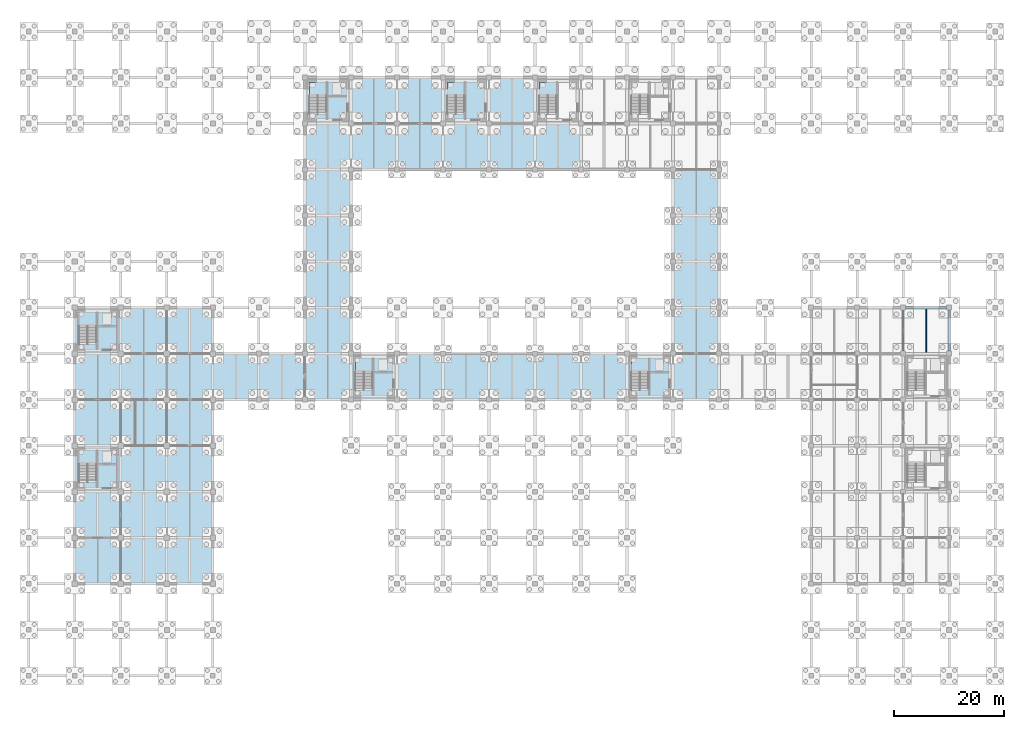
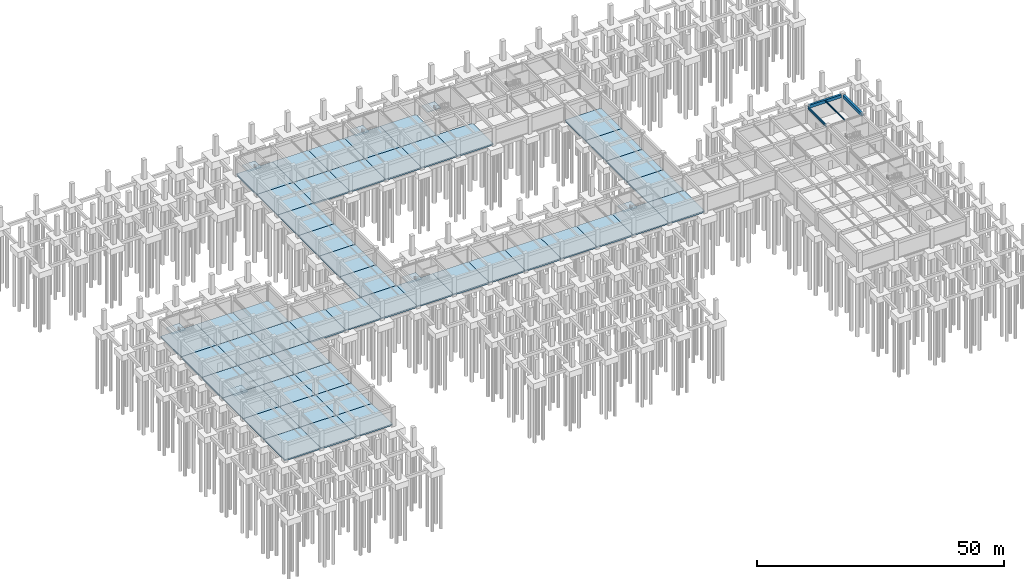
# One storey, part 16 of 29: 55 slabs, 4 beams, 7 elements without a shape of their own.
"""IFC4 building model written with IfcOpenShell, lengths in metres."""

from ifc_helpers import new_model, si_unit, direction, frame, origin, origin_2d, place, context, subcontext, project, spatial, polyline, rectangle, i_section, outline, extrude, material, layer, layer_set, material_profile, profile_set, type_object, element, aggregate, save


model = new_model("IFC4")

# Units and contexts
model_context = context("Model", 3, precision=1e-05, world=origin(), true_north=direction((0.0, 1.0)))
body_context = subcontext(model_context, "Body", "Model", "MODEL_VIEW")
ifc_project = project(units=[si_unit("LENGTHUNIT", "METRE"), si_unit("AREAUNIT", "SQUARE_METRE"), si_unit("VOLUMEUNIT", "CUBIC_METRE"), si_unit("PLANEANGLEUNIT", "RADIAN"), si_unit("MASSUNIT", "GRAM", prefix="KILO")], contexts=[model_context])

# Site, building, storey
site_placement = place(None, origin())
site = spatial("IfcSite", under=ifc_project, at=site_placement, CompositionType="ELEMENT")
building_placement = place(site_placement, origin())
building = spatial("IfcBuilding", under=site, at=building_placement, Name="Porcellanite Civic Hall", CompositionType="ELEMENT")
storey_placement = place(building_placement, frame((0.0, 0.0, -4.5)))
storey = spatial("IfcBuildingStorey", under=building, at=storey_placement, Name="B1", CompositionType="ELEMENT", Elevation=-4.5)

# Beams
ifc_material_1 = material(Name="Concrete N50 (50 MPa)", Category="concrete")
ifc_material_profile_1 = material_profile(ifc_material_1, rectangle(XDim=0.5, YDim=0.75, at=origin_2d()), Name="RC-500x750")
ifc_profile_set_1 = profile_set([ifc_material_profile_1], Name="Concrete N50 (50 MPa)")
beam_type_1 = type_object("IfcBeamType", Name="BM-RC750", PredefinedType="SPANDREL", material=ifc_profile_set_1)
for number, where, z_axis, x_axis, name in (
    (1, (160.049560546875, 67.199951171875, 3.77490234375), (1.0, 0.0, 0.0), (0.0, 1.0, 0.0), "Beam X B1 20-9"),
    (2, (168.0, 59.24951171875, 3.77490234375), (0.0, 1.0, 0.0), (-1.0, 0.0, 0.0), "Beam Y B1 21-8"),
):
    element("IfcBeam", number, at=place(storey_placement, frame(where, z_axis=z_axis, x_axis=x_axis)), inside=storey, type_object=beam_type_1, Name=name, PredefinedType="SPANDREL", context=body_context, shape_type="SweptSolid", body=[
        extrude(rectangle(XDim=0.5, YDim=0.75, at=origin_2d()), origin(), (0.0, 0.0, 1.0), 7.5009765625),
    ])
ifc_material_2 = material(Name="Steel Grade 350", Category="steel")
ifc_material_profile_2 = material_profile(ifc_material_2, i_section(OverallWidth=0.172119140625, OverallDepth=0.35888671875, WebThickness=0.008056640625, FlangeThickness=0.012939453125, FilletRadius=0.011474609375, at=origin_2d()), Name="360UB56.7")
ifc_profile_set_2 = profile_set([ifc_material_profile_2], Name="Steel Grade 350")
beam_type_2 = type_object("IfcBeamType", Name="JST-360UB57", PredefinedType="JOIST", material=ifc_profile_set_2)
beam_1_placement = place(storey_placement, frame((163.800048828125, 59.049560546875, 3.970458984375), z_axis=(0.0, 1.0, 0.0), x_axis=(-1.0, 0.0, 0.0)))
element("IfcBeam", 3, at=beam_1_placement, inside=storey, type_object=beam_type_2, Name="Secondary joist B1 20-8", PredefinedType="JOIST", context=body_context, shape_type="SweptSolid", body=[
    extrude(i_section(OverallWidth=0.172119140625, OverallDepth=0.35888671875, WebThickness=0.008056640625, FlangeThickness=0.012939453125, FilletRadius=0.011474609375, at=origin_2d()), origin(), (0.0, 0.0, 1.0), 7.90087890625),
])
ifc_material_3 = material(Name="Steel Grade 350", Category="steel")
ifc_material_profile_3 = material_profile(ifc_material_3, i_section(OverallWidth=0.208984375, OverallDepth=0.528076171875, WebThickness=0.009521484375, FlangeThickness=0.01318359375, FilletRadius=0.013916015625, at=origin_2d()), Name="530UB82.0")
ifc_profile_set_3 = profile_set([ifc_material_profile_3], Name="Steel Grade 350")
beam_type_3 = type_object("IfcBeamType", Name="RAF-530UB82", PredefinedType="BEAM", material=ifc_profile_set_3)
beam_2_placement = place(storey_placement, frame((159.60009765625, 59.24951171875, 3.885986328125), z_axis=(0.0, 1.0, 0.0), x_axis=(-1.0, 0.0, 0.0)))
element("IfcBeam", 4, at=beam_2_placement, inside=storey, type_object=beam_type_3, Name="Beam Y B1 20-8", PredefinedType="BEAM", context=body_context, shape_type="SweptSolid", body=[
    extrude(i_section(OverallWidth=0.208984375, OverallDepth=0.528076171875, WebThickness=0.009521484375, FlangeThickness=0.01318359375, FilletRadius=0.013916015625, at=origin_2d()), origin(), (0.0, 0.0, 1.0), 7.5009765625),
])

# Stair, slab
ifc_material_4 = material(Name="Concrete N40 (40 MPa)", Category="concrete")
stair_type = type_object("IfcStairType", Name="STR-HT25", PredefinedType="HALF_TURN_STAIR", material=ifc_material_4)
stair_1_placement = place(storey_placement, origin())
stair_1 = element("IfcStair", 5, at=stair_1_placement, inside=storey, type_object=stair_type, Name="Fire stair ST-01 B1", PredefinedType="HALF_TURN_STAIR")
ifc_material_5 = material(Name="Concrete N40 (40 MPa)", Category="concrete")
ifc_layer_1 = layer(ifc_material_5, 0.179931640625)
ifc_layer_set_1 = layer_set([ifc_layer_1], Name="Concrete N40 (40 MPa)")
slab_type_1 = type_object("IfcSlabType", Name="LND-18", PredefinedType="LANDING", material=ifc_layer_set_1)
slab_1_placement = place(storey_placement, frame((0.0, 0.0, 2.159912109375)))
slab_1 = element("IfcSlab", 6, at=slab_1_placement, type_object=slab_type_1, Name="ST-01 landing 1", PredefinedType="LANDING", context=body_context, shape_type="SweptSolid", body=[
    extrude(outline(polyline([(9.21044921875, 38.625), (12.319580078125, 38.625), (12.319580078125, 41.189453125), (9.21044921875, 41.189453125), (9.21044921875, 38.625)])), origin(), (0.0, 0.0, 1.0), 0.18017578125),
])
aggregate(stair_1, [slab_1])

stair_2_placement = place(storey_placement, origin())
stair_2 = element("IfcStair", 7, at=stair_2_placement, inside=storey, type_object=stair_type, Name="Fire stair ST-02 B1", PredefinedType="HALF_TURN_STAIR")
slab_2_placement = place(storey_placement, frame((0.0, 0.0, 2.159912109375)))
slab_2 = element("IfcSlab", 8, at=slab_2_placement, type_object=slab_type_1, Name="ST-02 landing 1", PredefinedType="LANDING", context=body_context, shape_type="SweptSolid", body=[
    extrude(outline(polyline([(9.21044921875, 63.824951171875), (12.319580078125, 63.824951171875), (12.319580078125, 66.389404296875), (9.21044921875, 66.389404296875), (9.21044921875, 63.824951171875)])), origin(), (0.0, 0.0, 1.0), 0.18017578125),
])
aggregate(stair_2, [slab_2])

stair_3_placement = place(storey_placement, origin())
stair_3 = element("IfcStair", 9, at=stair_3_placement, inside=storey, type_object=stair_type, Name="Fire stair ST-03 B1", PredefinedType="HALF_TURN_STAIR")
slab_3_placement = place(storey_placement, frame((0.0, 0.0, 2.159912109375)))
slab_3 = element("IfcSlab", 10, at=slab_3_placement, type_object=slab_type_1, Name="ST-03 landing 1", PredefinedType="LANDING", context=body_context, shape_type="SweptSolid", body=[
    extrude(outline(polyline([(51.21044921875, 105.824951171875), (54.319580078125, 105.824951171875), (54.319580078125, 108.389404296875), (51.21044921875, 108.389404296875), (51.21044921875, 105.824951171875)])), origin(), (0.0, 0.0, 1.0), 0.18017578125),
])
aggregate(stair_3, [slab_3])

stair_4_placement = place(storey_placement, origin())
stair_4 = element("IfcStair", 11, at=stair_4_placement, inside=storey, type_object=stair_type, Name="Fire stair ST-05 B1", PredefinedType="HALF_TURN_STAIR")
slab_4_placement = place(storey_placement, frame((0.0, 0.0, 2.159912109375)))
slab_4 = element("IfcSlab", 12, at=slab_4_placement, type_object=slab_type_1, Name="ST-05 landing 1", PredefinedType="LANDING", context=body_context, shape_type="SweptSolid", body=[
    extrude(outline(polyline([(59.610595703125, 55.425048828125), (62.719482421875, 55.425048828125), (62.719482421875, 57.989501953125), (59.610595703125, 57.989501953125), (59.610595703125, 55.425048828125)])), origin(), (0.0, 0.0, 1.0), 0.18017578125),
])
aggregate(stair_4, [slab_4])

stair_5_placement = place(storey_placement, origin())
stair_5 = element("IfcStair", 13, at=stair_5_placement, inside=storey, type_object=stair_type, Name="Fire stair ST-06 B1", PredefinedType="HALF_TURN_STAIR")
slab_5_placement = place(storey_placement, frame((0.0, 0.0, 2.159912109375)))
slab_5 = element("IfcSlab", 14, at=slab_5_placement, type_object=slab_type_1, Name="ST-06 landing 1", PredefinedType="LANDING", context=body_context, shape_type="SweptSolid", body=[
    extrude(outline(polyline([(110.010498046875, 55.425048828125), (113.119384765625, 55.425048828125), (113.119384765625, 57.989501953125), (110.010498046875, 57.989501953125), (110.010498046875, 55.425048828125)])), origin(), (0.0, 0.0, 1.0), 0.18017578125),
])
aggregate(stair_5, [slab_5])

stair_6_placement = place(storey_placement, origin())
stair_6 = element("IfcStair", 15, at=stair_6_placement, inside=storey, type_object=stair_type, Name="Fire stair ST-09 B1", PredefinedType="HALF_TURN_STAIR")
slab_6_placement = place(storey_placement, frame((0.0, 0.0, 2.159912109375)))
slab_6 = element("IfcSlab", 16, at=slab_6_placement, type_object=slab_type_1, Name="ST-09 landing 1", PredefinedType="LANDING", context=body_context, shape_type="SweptSolid", body=[
    extrude(outline(polyline([(76.410400390625, 105.824951171875), (79.51953125, 105.824951171875), (79.51953125, 108.389404296875), (76.410400390625, 108.389404296875), (76.410400390625, 105.824951171875)])), origin(), (0.0, 0.0, 1.0), 0.18017578125),
])
aggregate(stair_6, [slab_6])

stair_7_placement = place(storey_placement, origin())
stair_7 = element("IfcStair", 17, at=stair_7_placement, inside=storey, type_object=stair_type, Name="Fire stair ST-10 B1", PredefinedType="HALF_TURN_STAIR")
slab_7_placement = place(storey_placement, frame((0.0, 0.0, 2.159912109375)))
slab_7 = element("IfcSlab", 18, at=slab_7_placement, type_object=slab_type_1, Name="ST-10 landing 1", PredefinedType="LANDING", context=body_context, shape_type="SweptSolid", body=[
    extrude(outline(polyline([(93.21044921875, 105.824951171875), (96.319580078125, 105.824951171875), (96.319580078125, 108.389404296875), (93.21044921875, 108.389404296875), (93.21044921875, 105.824951171875)])), origin(), (0.0, 0.0, 1.0), 0.18017578125),
])
aggregate(stair_7, [slab_7])

# Slabs
ifc_material_6 = material(Name="Concrete N40 (40 MPa)", Category="concrete")
ifc_layer_2 = layer(ifc_material_6, 0.320068359375)
ifc_layer_set_2 = layer_set([ifc_layer_2], Name="Concrete N40 (40 MPa)")
slab_type_2 = type_object("IfcSlabType", Name="SL-BASE320", PredefinedType="BASESLAB", material=ifc_layer_set_2)
slab_8_placement = place(storey_placement, frame((0.0, 0.0, -0.320068359375)))
element("IfcSlab", 19, at=slab_8_placement, inside=storey, type_object=slab_type_2, Name="Slab B1 bay 2-3", PredefinedType="BASESLAB", context=body_context, shape_type="SweptSolid", body=[
    extrude(outline(polyline([(8.39990234375, 16.800048828125), (16.800048828125, 16.800048828125), (16.800048828125, 25.199951171875), (8.39990234375, 25.199951171875), (8.39990234375, 16.800048828125)])), origin(), (0.0, 0.0, 1.0), 0.320068359375),
])
slab_9_placement = place(storey_placement, frame((0.0, 0.0, -0.320068359375)))
element("IfcSlab", 20, at=slab_9_placement, inside=storey, type_object=slab_type_2, Name="Slab B1 bay 2-5", PredefinedType="BASESLAB", context=body_context, shape_type="SweptSolid", body=[
    extrude(outline(polyline([(8.39990234375, 33.60009765625), (16.800048828125, 33.60009765625), (16.800048828125, 42.0), (8.39990234375, 42.0), (8.39990234375, 33.60009765625)])), origin(), (0.0, 0.0, 1.0), 0.320068359375),
])
slab_10_placement = place(storey_placement, frame((0.0, 0.0, -0.320068359375)))
element("IfcSlab", 21, at=slab_10_placement, inside=storey, type_object=slab_type_2, Name="Slab B1 bay 2-7", PredefinedType="BASESLAB", context=body_context, shape_type="SweptSolid", body=[
    extrude(outline(polyline([(8.39990234375, 50.39990234375), (16.800048828125, 50.39990234375), (16.800048828125, 58.800048828125), (8.39990234375, 58.800048828125), (8.39990234375, 50.39990234375)])), origin(), (0.0, 0.0, 1.0), 0.320068359375),
])
slab_11_placement = place(storey_placement, frame((0.0, 0.0, -0.320068359375)))
element("IfcSlab", 22, at=slab_11_placement, inside=storey, type_object=slab_type_2, Name="Slab B1 bay 3-4", PredefinedType="BASESLAB", context=body_context, shape_type="SweptSolid", body=[
    extrude(outline(polyline([(16.800048828125, 25.199951171875), (25.199951171875, 25.199951171875), (25.199951171875, 33.60009765625), (16.800048828125, 33.60009765625), (16.800048828125, 25.199951171875)])), origin(), (0.0, 0.0, 1.0), 0.320068359375),
])
slab_12_placement = place(storey_placement, frame((0.0, 0.0, -0.320068359375)))
element("IfcSlab", 23, at=slab_12_placement, inside=storey, type_object=slab_type_2, Name="Slab B1 bay 3-6", PredefinedType="BASESLAB", context=body_context, shape_type="SweptSolid", body=[
    extrude(outline(polyline([(16.800048828125, 42.0), (25.199951171875, 42.0), (25.199951171875, 50.39990234375), (16.800048828125, 50.39990234375), (16.800048828125, 42.0)])), origin(), (0.0, 0.0, 1.0), 0.320068359375),
])
slab_13_placement = place(storey_placement, frame((0.0, 0.0, -0.320068359375)))
element("IfcSlab", 24, at=slab_13_placement, inside=storey, type_object=slab_type_2, Name="Slab B1 bay 3-8", PredefinedType="BASESLAB", context=body_context, shape_type="SweptSolid", body=[
    extrude(outline(polyline([(16.800048828125, 58.800048828125), (25.199951171875, 58.800048828125), (25.199951171875, 67.199951171875), (16.800048828125, 67.199951171875), (16.800048828125, 58.800048828125)])), origin(), (0.0, 0.0, 1.0), 0.320068359375),
])
slab_14_placement = place(storey_placement, frame((0.0, 0.0, -0.320068359375)))
element("IfcSlab", 25, at=slab_14_placement, inside=storey, type_object=slab_type_2, Name="Slab B1 bay 4-3", PredefinedType="BASESLAB", context=body_context, shape_type="SweptSolid", body=[
    extrude(outline(polyline([(25.199951171875, 16.800048828125), (33.60009765625, 16.800048828125), (33.60009765625, 25.199951171875), (25.199951171875, 25.199951171875), (25.199951171875, 16.800048828125)])), origin(), (0.0, 0.0, 1.0), 0.320068359375),
])
slab_15_placement = place(storey_placement, frame((0.0, 0.0, -0.320068359375)))
element("IfcSlab", 26, at=slab_15_placement, inside=storey, type_object=slab_type_2, Name="Slab B1 bay 4-5", PredefinedType="BASESLAB", context=body_context, shape_type="SweptSolid", body=[
    extrude(outline(polyline([(25.199951171875, 33.60009765625), (33.60009765625, 33.60009765625), (33.60009765625, 42.0), (25.199951171875, 42.0), (25.199951171875, 33.60009765625)])), origin(), (0.0, 0.0, 1.0), 0.320068359375),
])
slab_16_placement = place(storey_placement, frame((0.0, 0.0, -0.320068359375)))
element("IfcSlab", 27, at=slab_16_placement, inside=storey, type_object=slab_type_2, Name="Slab B1 bay 4-7", PredefinedType="BASESLAB", context=body_context, shape_type="SweptSolid", body=[
    extrude(outline(polyline([(25.199951171875, 50.39990234375), (33.60009765625, 50.39990234375), (33.60009765625, 58.800048828125), (25.199951171875, 58.800048828125), (25.199951171875, 50.39990234375)])), origin(), (0.0, 0.0, 1.0), 0.320068359375),
])
slab_17_placement = place(storey_placement, frame((0.0, 0.0, -0.320068359375)))
element("IfcSlab", 28, at=slab_17_placement, inside=storey, type_object=slab_type_2, Name="Slab B1 bay 6-7", PredefinedType="BASESLAB", context=body_context, shape_type="SweptSolid", body=[
    extrude(outline(polyline([(42.0, 50.39990234375), (50.39990234375, 50.39990234375), (50.39990234375, 58.800048828125), (42.0, 58.800048828125), (42.0, 50.39990234375)])), origin(), (0.0, 0.0, 1.0), 0.320068359375),
])
slab_18_placement = place(storey_placement, frame((0.0, 0.0, -0.320068359375)))
element("IfcSlab", 29, at=slab_18_placement, inside=storey, type_object=slab_type_2, Name="Slab B1 bay 7-8", PredefinedType="BASESLAB", context=body_context, shape_type="SweptSolid", body=[
    extrude(outline(polyline([(50.39990234375, 58.800048828125), (58.800048828125, 58.800048828125), (58.800048828125, 67.199951171875), (50.39990234375, 67.199951171875), (50.39990234375, 58.800048828125)])), origin(), (0.0, 0.0, 1.0), 0.320068359375),
])
slab_19_placement = place(storey_placement, frame((0.0, 0.0, -0.320068359375)))
element("IfcSlab", 30, at=slab_19_placement, inside=storey, type_object=slab_type_2, Name="Slab B1 bay 7-10", PredefinedType="BASESLAB", context=body_context, shape_type="SweptSolid", body=[
    extrude(outline(polyline([(50.39990234375, 75.60009765625), (58.800048828125, 75.60009765625), (58.800048828125, 84.0), (50.39990234375, 84.0), (50.39990234375, 75.60009765625)])), origin(), (0.0, 0.0, 1.0), 0.320068359375),
])
slab_20_placement = place(storey_placement, frame((0.0, 0.0, -0.320068359375)))
element("IfcSlab", 31, at=slab_20_placement, inside=storey, type_object=slab_type_2, Name="Slab B1 bay 7-12", PredefinedType="BASESLAB", context=body_context, shape_type="SweptSolid", body=[
    extrude(outline(polyline([(50.39990234375, 92.39990234375), (58.800048828125, 92.39990234375), (58.800048828125, 100.800048828125), (50.39990234375, 100.800048828125), (50.39990234375, 92.39990234375)])), origin(), (0.0, 0.0, 1.0), 0.320068359375),
])
slab_21_placement = place(storey_placement, frame((0.0, 0.0, -0.320068359375)))
element("IfcSlab", 32, at=slab_21_placement, inside=storey, type_object=slab_type_2, Name="Slab B1 bay 8-7", PredefinedType="BASESLAB", context=body_context, shape_type="SweptSolid", body=[
    extrude(outline(polyline([(58.800048828125, 50.39990234375), (67.199951171875, 50.39990234375), (67.199951171875, 58.800048828125), (58.800048828125, 58.800048828125), (58.800048828125, 50.39990234375)])), origin(), (0.0, 0.0, 1.0), 0.320068359375),
])
slab_22_placement = place(storey_placement, frame((0.0, 0.0, -0.320068359375)))
element("IfcSlab", 33, at=slab_22_placement, inside=storey, type_object=slab_type_2, Name="Slab B1 bay 8-13", PredefinedType="BASESLAB", context=body_context, shape_type="SweptSolid", body=[
    extrude(outline(polyline([(58.800048828125, 100.800048828125), (67.199951171875, 100.800048828125), (67.199951171875, 109.199951171875), (58.800048828125, 109.199951171875), (58.800048828125, 100.800048828125)])), origin(), (0.0, 0.0, 1.0), 0.320068359375),
])
slab_23_placement = place(storey_placement, frame((0.0, 0.0, -0.320068359375)))
element("IfcSlab", 34, at=slab_23_placement, inside=storey, type_object=slab_type_2, Name="Slab B1 bay 9-12", PredefinedType="BASESLAB", context=body_context, shape_type="SweptSolid", body=[
    extrude(outline(polyline([(67.199951171875, 92.39990234375), (75.60009765625, 92.39990234375), (75.60009765625, 100.800048828125), (67.199951171875, 100.800048828125), (67.199951171875, 92.39990234375)])), origin(), (0.0, 0.0, 1.0), 0.320068359375),
])
slab_24_placement = place(storey_placement, frame((0.0, 0.0, -0.320068359375)))
element("IfcSlab", 35, at=slab_24_placement, inside=storey, type_object=slab_type_2, Name="Slab B1 bay 10-7", PredefinedType="BASESLAB", context=body_context, shape_type="SweptSolid", body=[
    extrude(outline(polyline([(75.60009765625, 50.39990234375), (84.0, 50.39990234375), (84.0, 58.800048828125), (75.60009765625, 58.800048828125), (75.60009765625, 50.39990234375)])), origin(), (0.0, 0.0, 1.0), 0.320068359375),
])
slab_25_placement = place(storey_placement, frame((0.0, 0.0, -0.320068359375)))
element("IfcSlab", 36, at=slab_25_placement, inside=storey, type_object=slab_type_2, Name="Slab B1 bay 10-13", PredefinedType="BASESLAB", context=body_context, shape_type="SweptSolid", body=[
    extrude(outline(polyline([(75.60009765625, 100.800048828125), (84.0, 100.800048828125), (84.0, 109.199951171875), (75.60009765625, 109.199951171875), (75.60009765625, 100.800048828125)])), origin(), (0.0, 0.0, 1.0), 0.320068359375),
])
slab_26_placement = place(storey_placement, frame((0.0, 0.0, -0.320068359375)))
element("IfcSlab", 37, at=slab_26_placement, inside=storey, type_object=slab_type_2, Name="Slab B1 bay 11-12", PredefinedType="BASESLAB", context=body_context, shape_type="SweptSolid", body=[
    extrude(outline(polyline([(84.0, 92.39990234375), (92.39990234375, 92.39990234375), (92.39990234375, 100.800048828125), (84.0, 100.800048828125), (84.0, 92.39990234375)])), origin(), (0.0, 0.0, 1.0), 0.320068359375),
])
slab_27_placement = place(storey_placement, frame((0.0, 0.0, -0.320068359375)))
element("IfcSlab", 38, at=slab_27_placement, inside=storey, type_object=slab_type_2, Name="Slab B1 bay 12-7", PredefinedType="BASESLAB", context=body_context, shape_type="SweptSolid", body=[
    extrude(outline(polyline([(92.39990234375, 50.39990234375), (100.800048828125, 50.39990234375), (100.800048828125, 58.800048828125), (92.39990234375, 58.800048828125), (92.39990234375, 50.39990234375)])), origin(), (0.0, 0.0, 1.0), 0.320068359375),
])
slab_28_placement = place(storey_placement, frame((0.0, 0.0, -0.320068359375)))
element("IfcSlab", 39, at=slab_28_placement, inside=storey, type_object=slab_type_2, Name="Slab B1 bay 14-7", PredefinedType="BASESLAB", context=body_context, shape_type="SweptSolid", body=[
    extrude(outline(polyline([(109.199951171875, 50.39990234375), (117.60009765625, 50.39990234375), (117.60009765625, 58.800048828125), (109.199951171875, 58.800048828125), (109.199951171875, 50.39990234375)])), origin(), (0.0, 0.0, 1.0), 0.320068359375),
])
slab_29_placement = place(storey_placement, frame((0.0, 0.0, -0.320068359375)))
element("IfcSlab", 40, at=slab_29_placement, inside=storey, type_object=slab_type_2, Name="Slab B1 bay 15-8", PredefinedType="BASESLAB", context=body_context, shape_type="SweptSolid", body=[
    extrude(outline(polyline([(117.60009765625, 58.800048828125), (126.0, 58.800048828125), (126.0, 67.199951171875), (117.60009765625, 67.199951171875), (117.60009765625, 58.800048828125)])), origin(), (0.0, 0.0, 1.0), 0.320068359375),
])
slab_30_placement = place(storey_placement, frame((0.0, 0.0, -0.320068359375)))
element("IfcSlab", 41, at=slab_30_placement, inside=storey, type_object=slab_type_2, Name="Slab B1 bay 15-10", PredefinedType="BASESLAB", context=body_context, shape_type="SweptSolid", body=[
    extrude(outline(polyline([(117.60009765625, 75.60009765625), (126.0, 75.60009765625), (126.0, 84.0), (117.60009765625, 84.0), (117.60009765625, 75.60009765625)])), origin(), (0.0, 0.0, 1.0), 0.320068359375),
])
ifc_material_7 = material(Name="Concrete N40 (40 MPa)", Category="concrete")
ifc_layer_3 = layer(ifc_material_7, 0.35009765625)
ifc_layer_set_3 = layer_set([ifc_layer_3], Name="Concrete N40 (40 MPa)")
slab_type_3 = type_object("IfcSlabType", Name="SL-BASE350", PredefinedType="BASESLAB", material=ifc_layer_set_3)
slab_31_placement = place(storey_placement, frame((0.0, 0.0, -0.35009765625)))
element("IfcSlab", 42, at=slab_31_placement, inside=storey, type_object=slab_type_3, Name="Slab B1 bay 2-4", PredefinedType="BASESLAB", context=body_context, shape_type="SweptSolid", body=[
    extrude(outline(polyline([(8.39990234375, 25.199951171875), (16.800048828125, 25.199951171875), (16.800048828125, 33.60009765625), (8.39990234375, 33.60009765625), (8.39990234375, 25.199951171875)])), origin(), (0.0, 0.0, 1.0), 0.35009765625),
])
slab_32_placement = place(storey_placement, frame((0.0, 0.0, -0.35009765625)))
element("IfcSlab", 43, at=slab_32_placement, inside=storey, type_object=slab_type_3, Name="Slab B1 bay 2-6", PredefinedType="BASESLAB", context=body_context, shape_type="SweptSolid", body=[
    extrude(outline(polyline([(8.39990234375, 42.0), (16.800048828125, 42.0), (16.800048828125, 50.39990234375), (8.39990234375, 50.39990234375), (8.39990234375, 42.0)])), origin(), (0.0, 0.0, 1.0), 0.35009765625),
])
slab_33_placement = place(storey_placement, frame((0.0, 0.0, -0.35009765625)))
element("IfcSlab", 44, at=slab_33_placement, inside=storey, type_object=slab_type_3, Name="Slab B1 bay 2-8", PredefinedType="BASESLAB", context=body_context, shape_type="SweptSolid", body=[
    extrude(outline(polyline([(8.39990234375, 58.800048828125), (16.800048828125, 58.800048828125), (16.800048828125, 67.199951171875), (8.39990234375, 67.199951171875), (8.39990234375, 58.800048828125)])), origin(), (0.0, 0.0, 1.0), 0.35009765625),
])
slab_34_placement = place(storey_placement, frame((0.0, 0.0, -0.35009765625)))
element("IfcSlab", 45, at=slab_34_placement, inside=storey, type_object=slab_type_3, Name="Slab B1 bay 3-3", PredefinedType="BASESLAB", context=body_context, shape_type="SweptSolid", body=[
    extrude(outline(polyline([(16.800048828125, 16.800048828125), (25.199951171875, 16.800048828125), (25.199951171875, 25.199951171875), (16.800048828125, 25.199951171875), (16.800048828125, 16.800048828125)])), origin(), (0.0, 0.0, 1.0), 0.35009765625),
])
slab_35_placement = place(storey_placement, frame((0.0, 0.0, -0.35009765625)))
element("IfcSlab", 46, at=slab_35_placement, inside=storey, type_object=slab_type_3, Name="Slab B1 bay 3-5", PredefinedType="BASESLAB", context=body_context, shape_type="SweptSolid", body=[
    extrude(outline(polyline([(16.800048828125, 33.60009765625), (25.199951171875, 33.60009765625), (25.199951171875, 42.0), (16.800048828125, 42.0), (16.800048828125, 33.60009765625)])), origin(), (0.0, 0.0, 1.0), 0.35009765625),
])
slab_36_placement = place(storey_placement, frame((0.0, 0.0, -0.35009765625)))
element("IfcSlab", 47, at=slab_36_placement, inside=storey, type_object=slab_type_3, Name="Slab B1 bay 3-7", PredefinedType="BASESLAB", context=body_context, shape_type="SweptSolid", body=[
    extrude(outline(polyline([(16.800048828125, 50.39990234375), (25.199951171875, 50.39990234375), (25.199951171875, 58.800048828125), (16.800048828125, 58.800048828125), (16.800048828125, 50.39990234375)])), origin(), (0.0, 0.0, 1.0), 0.35009765625),
])
slab_37_placement = place(storey_placement, frame((0.0, 0.0, -0.35009765625)))
element("IfcSlab", 48, at=slab_37_placement, inside=storey, type_object=slab_type_3, Name="Slab B1 bay 4-4", PredefinedType="BASESLAB", context=body_context, shape_type="SweptSolid", body=[
    extrude(outline(polyline([(25.199951171875, 25.199951171875), (33.60009765625, 25.199951171875), (33.60009765625, 33.60009765625), (25.199951171875, 33.60009765625), (25.199951171875, 25.199951171875)])), origin(), (0.0, 0.0, 1.0), 0.35009765625),
])
slab_38_placement = place(storey_placement, frame((0.0, 0.0, -0.35009765625)))
element("IfcSlab", 49, at=slab_38_placement, inside=storey, type_object=slab_type_3, Name="Slab B1 bay 4-6", PredefinedType="BASESLAB", context=body_context, shape_type="SweptSolid", body=[
    extrude(outline(polyline([(25.199951171875, 42.0), (33.60009765625, 42.0), (33.60009765625, 50.39990234375), (25.199951171875, 50.39990234375), (25.199951171875, 42.0)])), origin(), (0.0, 0.0, 1.0), 0.35009765625),
])
slab_39_placement = place(storey_placement, frame((0.0, 0.0, -0.35009765625)))
element("IfcSlab", 50, at=slab_39_placement, inside=storey, type_object=slab_type_3, Name="Slab B1 bay 4-8", PredefinedType="BASESLAB", context=body_context, shape_type="SweptSolid", body=[
    extrude(outline(polyline([(25.199951171875, 58.800048828125), (33.60009765625, 58.800048828125), (33.60009765625, 67.199951171875), (25.199951171875, 67.199951171875), (25.199951171875, 58.800048828125)])), origin(), (0.0, 0.0, 1.0), 0.35009765625),
])
slab_40_placement = place(storey_placement, frame((0.0, 0.0, -0.35009765625)))
element("IfcSlab", 51, at=slab_40_placement, inside=storey, type_object=slab_type_3, Name="Slab B1 bay 5-7", PredefinedType="BASESLAB", context=body_context, shape_type="SweptSolid", body=[
    extrude(outline(polyline([(33.60009765625, 50.39990234375), (42.0, 50.39990234375), (42.0, 58.800048828125), (33.60009765625, 58.800048828125), (33.60009765625, 50.39990234375)])), origin(), (0.0, 0.0, 1.0), 0.35009765625),
])
slab_41_placement = place(storey_placement, frame((0.0, 0.0, -0.35009765625)))
element("IfcSlab", 52, at=slab_41_placement, inside=storey, type_object=slab_type_3, Name="Slab B1 bay 7-7", PredefinedType="BASESLAB", context=body_context, shape_type="SweptSolid", body=[
    extrude(outline(polyline([(50.39990234375, 50.39990234375), (58.800048828125, 50.39990234375), (58.800048828125, 58.800048828125), (50.39990234375, 58.800048828125), (50.39990234375, 50.39990234375)])), origin(), (0.0, 0.0, 1.0), 0.35009765625),
])
slab_42_placement = place(storey_placement, frame((0.0, 0.0, -0.35009765625)))
element("IfcSlab", 53, at=slab_42_placement, inside=storey, type_object=slab_type_3, Name="Slab B1 bay 7-9", PredefinedType="BASESLAB", context=body_context, shape_type="SweptSolid", body=[
    extrude(outline(polyline([(50.39990234375, 67.199951171875), (58.800048828125, 67.199951171875), (58.800048828125, 75.60009765625), (50.39990234375, 75.60009765625), (50.39990234375, 67.199951171875)])), origin(), (0.0, 0.0, 1.0), 0.35009765625),
])
slab_43_placement = place(storey_placement, frame((0.0, 0.0, -0.35009765625)))
element("IfcSlab", 54, at=slab_43_placement, inside=storey, type_object=slab_type_3, Name="Slab B1 bay 7-11", PredefinedType="BASESLAB", context=body_context, shape_type="SweptSolid", body=[
    extrude(outline(polyline([(50.39990234375, 84.0), (58.800048828125, 84.0), (58.800048828125, 92.39990234375), (50.39990234375, 92.39990234375), (50.39990234375, 84.0)])), origin(), (0.0, 0.0, 1.0), 0.35009765625),
])
slab_44_placement = place(storey_placement, frame((0.0, 0.0, -0.35009765625)))
element("IfcSlab", 55, at=slab_44_placement, inside=storey, type_object=slab_type_3, Name="Slab B1 bay 7-13", PredefinedType="BASESLAB", context=body_context, shape_type="SweptSolid", body=[
    extrude(outline(polyline([(50.39990234375, 100.800048828125), (58.800048828125, 100.800048828125), (58.800048828125, 109.199951171875), (50.39990234375, 109.199951171875), (50.39990234375, 100.800048828125)])), origin(), (0.0, 0.0, 1.0), 0.35009765625),
])
slab_45_placement = place(storey_placement, frame((0.0, 0.0, -0.35009765625)))
element("IfcSlab", 56, at=slab_45_placement, inside=storey, type_object=slab_type_3, Name="Slab B1 bay 8-12", PredefinedType="BASESLAB", context=body_context, shape_type="SweptSolid", body=[
    extrude(outline(polyline([(58.800048828125, 92.39990234375), (67.199951171875, 92.39990234375), (67.199951171875, 100.800048828125), (58.800048828125, 100.800048828125), (58.800048828125, 92.39990234375)])), origin(), (0.0, 0.0, 1.0), 0.35009765625),
])
slab_46_placement = place(storey_placement, frame((0.0, 0.0, -0.35009765625)))
element("IfcSlab", 57, at=slab_46_placement, inside=storey, type_object=slab_type_3, Name="Slab B1 bay 9-7", PredefinedType="BASESLAB", context=body_context, shape_type="SweptSolid", body=[
    extrude(outline(polyline([(67.199951171875, 50.39990234375), (75.60009765625, 50.39990234375), (75.60009765625, 58.800048828125), (67.199951171875, 58.800048828125), (67.199951171875, 50.39990234375)])), origin(), (0.0, 0.0, 1.0), 0.35009765625),
])
slab_47_placement = place(storey_placement, frame((0.0, 0.0, -0.35009765625)))
element("IfcSlab", 58, at=slab_47_placement, inside=storey, type_object=slab_type_3, Name="Slab B1 bay 9-13", PredefinedType="BASESLAB", context=body_context, shape_type="SweptSolid", body=[
    extrude(outline(polyline([(67.199951171875, 100.800048828125), (75.60009765625, 100.800048828125), (75.60009765625, 109.199951171875), (67.199951171875, 109.199951171875), (67.199951171875, 100.800048828125)])), origin(), (0.0, 0.0, 1.0), 0.35009765625),
])
slab_48_placement = place(storey_placement, frame((0.0, 0.0, -0.35009765625)))
element("IfcSlab", 59, at=slab_48_placement, inside=storey, type_object=slab_type_3, Name="Slab B1 bay 10-12", PredefinedType="BASESLAB", context=body_context, shape_type="SweptSolid", body=[
    extrude(outline(polyline([(75.60009765625, 92.39990234375), (84.0, 92.39990234375), (84.0, 100.800048828125), (75.60009765625, 100.800048828125), (75.60009765625, 92.39990234375)])), origin(), (0.0, 0.0, 1.0), 0.35009765625),
])
slab_49_placement = place(storey_placement, frame((0.0, 0.0, -0.35009765625)))
element("IfcSlab", 60, at=slab_49_placement, inside=storey, type_object=slab_type_3, Name="Slab B1 bay 11-7", PredefinedType="BASESLAB", context=body_context, shape_type="SweptSolid", body=[
    extrude(outline(polyline([(84.0, 50.39990234375), (92.39990234375, 50.39990234375), (92.39990234375, 58.800048828125), (84.0, 58.800048828125), (84.0, 50.39990234375)])), origin(), (0.0, 0.0, 1.0), 0.35009765625),
])
slab_50_placement = place(storey_placement, frame((0.0, 0.0, -0.35009765625)))
element("IfcSlab", 61, at=slab_50_placement, inside=storey, type_object=slab_type_3, Name="Slab B1 bay 11-13", PredefinedType="BASESLAB", context=body_context, shape_type="SweptSolid", body=[
    extrude(outline(polyline([(84.0, 100.800048828125), (92.39990234375, 100.800048828125), (92.39990234375, 109.199951171875), (84.0, 109.199951171875), (84.0, 100.800048828125)])), origin(), (0.0, 0.0, 1.0), 0.35009765625),
])
slab_51_placement = place(storey_placement, frame((0.0, 0.0, -0.35009765625)))
element("IfcSlab", 62, at=slab_51_placement, inside=storey, type_object=slab_type_3, Name="Slab B1 bay 12-12", PredefinedType="BASESLAB", context=body_context, shape_type="SweptSolid", body=[
    extrude(outline(polyline([(92.39990234375, 92.39990234375), (100.800048828125, 92.39990234375), (100.800048828125, 100.800048828125), (92.39990234375, 100.800048828125), (92.39990234375, 92.39990234375)])), origin(), (0.0, 0.0, 1.0), 0.35009765625),
])
slab_52_placement = place(storey_placement, frame((0.0, 0.0, -0.35009765625)))
element("IfcSlab", 63, at=slab_52_placement, inside=storey, type_object=slab_type_3, Name="Slab B1 bay 13-7", PredefinedType="BASESLAB", context=body_context, shape_type="SweptSolid", body=[
    extrude(outline(polyline([(100.800048828125, 50.39990234375), (109.199951171875, 50.39990234375), (109.199951171875, 58.800048828125), (100.800048828125, 58.800048828125), (100.800048828125, 50.39990234375)])), origin(), (0.0, 0.0, 1.0), 0.35009765625),
])
slab_53_placement = place(storey_placement, frame((0.0, 0.0, -0.35009765625)))
element("IfcSlab", 64, at=slab_53_placement, inside=storey, type_object=slab_type_3, Name="Slab B1 bay 15-7", PredefinedType="BASESLAB", context=body_context, shape_type="SweptSolid", body=[
    extrude(outline(polyline([(117.60009765625, 50.39990234375), (126.0, 50.39990234375), (126.0, 58.800048828125), (117.60009765625, 58.800048828125), (117.60009765625, 50.39990234375)])), origin(), (0.0, 0.0, 1.0), 0.35009765625),
])
slab_54_placement = place(storey_placement, frame((0.0, 0.0, -0.35009765625)))
element("IfcSlab", 65, at=slab_54_placement, inside=storey, type_object=slab_type_3, Name="Slab B1 bay 15-9", PredefinedType="BASESLAB", context=body_context, shape_type="SweptSolid", body=[
    extrude(outline(polyline([(117.60009765625, 67.199951171875), (126.0, 67.199951171875), (126.0, 75.60009765625), (117.60009765625, 75.60009765625), (117.60009765625, 67.199951171875)])), origin(), (0.0, 0.0, 1.0), 0.35009765625),
])
slab_55_placement = place(storey_placement, frame((0.0, 0.0, -0.35009765625)))
element("IfcSlab", 66, at=slab_55_placement, inside=storey, type_object=slab_type_3, Name="Slab B1 bay 15-11", PredefinedType="BASESLAB", context=body_context, shape_type="SweptSolid", body=[
    extrude(outline(polyline([(117.60009765625, 84.0), (126.0, 84.0), (126.0, 92.39990234375), (117.60009765625, 92.39990234375), (117.60009765625, 84.0)])), origin(), (0.0, 0.0, 1.0), 0.35009765625),
])

save(model, "model.ifc")
